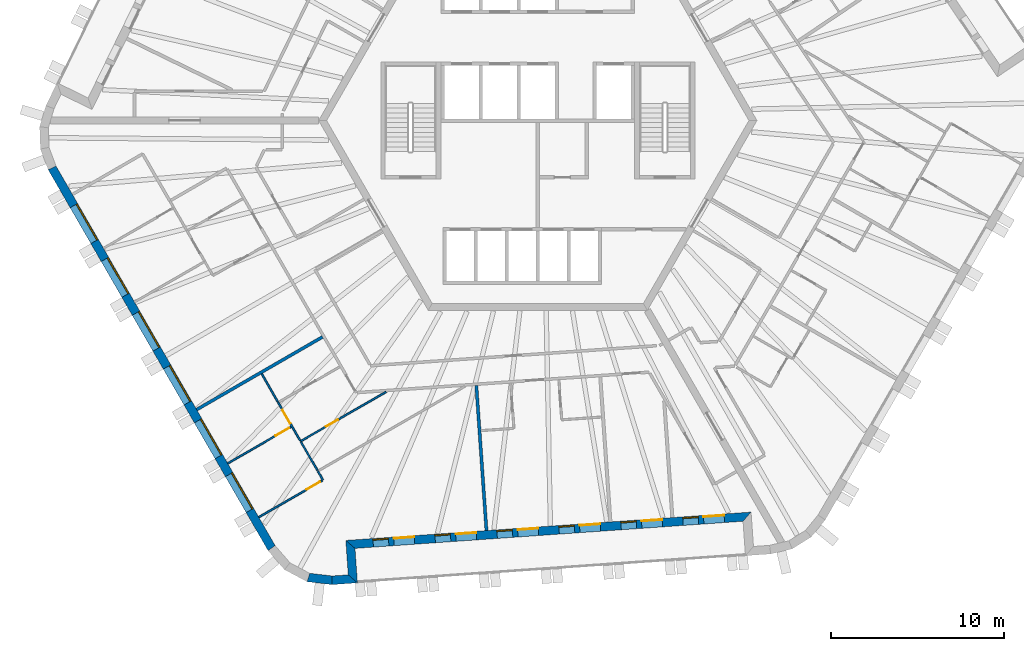
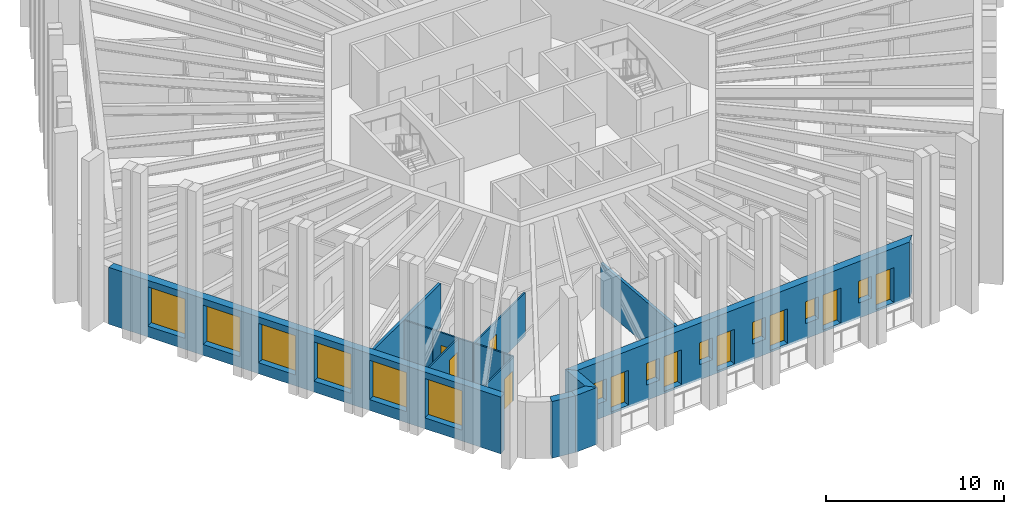
# One storey, part 3 of 13: 14 walls, 12 windows, 10 doors, 22 openings.
"""IFC4 building model written with IfcOpenShell, lengths in metres."""

from ifc_helpers import new_model, si_unit, direction, frame, frame_2d, origin, place, context, subcontext, project, spatial, polyline, rectangle, outline, extrude, material, layer, layer_set, type_object, element, fill, save


model = new_model("IFC4")

# Units and contexts
model_context = context("Model", 3, precision=1e-05, world=origin(), true_north=direction((0.0, 1.0)))
body_context = subcontext(model_context, "Body", "Model", "MODEL_VIEW")
ifc_project = project(units=[si_unit("LENGTHUNIT", "METRE"), si_unit("AREAUNIT", "SQUARE_METRE"), si_unit("VOLUMEUNIT", "CUBIC_METRE"), si_unit("PLANEANGLEUNIT", "RADIAN"), si_unit("MASSUNIT", "GRAM", prefix="KILO")], contexts=[model_context])

# Site, building, storey
site_placement = place(None, origin())
site = spatial("IfcSite", under=ifc_project, at=site_placement, CompositionType="ELEMENT")
building_placement = place(site_placement, origin())
building = spatial("IfcBuilding", under=site, at=building_placement, Name="Tarnside Tower", CompositionType="ELEMENT")
storey_placement = place(building_placement, frame((0.0, 0.0, 267.89990234375)))
storey = spatial("IfcBuildingStorey", under=building, at=storey_placement, Name="L64", CompositionType="ELEMENT", Elevation=267.89990234375)

# Wall, opening, door
ifc_material_1 = material(Name="Gypsum board partition on steel studs", Category="steel")
ifc_layer_1 = layer(ifc_material_1, 0.10009765625)
ifc_layer_set_1 = layer_set([ifc_layer_1], Name="Bathroom wall 100")
wall_type_1 = type_object("IfcWallType", Name="Bathroom wall 100", PredefinedType="PARTITIONING", material=ifc_layer_set_1)
wall_1_placement = place(storey_placement, frame((-13.747314453125, -18.5888671875, 0.0), z_axis=(0.0, 0.0, 1.0), x_axis=(0.866022251081, 0.500005460603, 0.0)))
wall_1 = element("IfcWall", 1, at=wall_1_placement, inside=storey, type_object=wall_type_1, Name="Bathroom wall 21133", PredefinedType="PARTITIONING", context=body_context, shape_type="SweptSolid", body=[
    extrude(rectangle(XDim=5.72509765625, YDim=0.10009765625, at=frame_2d((2.862548828125, 0.0))), origin(), (0.0, 0.0, 1.0), 2.98779296875),
])
opening_1_placement = place(wall_1_placement, frame((1.699951171875, 0.0, 0.0)))
opening_1 = element("IfcOpeningElement", 2, at=opening_1_placement, cuts=wall_1, Name="Opening D-B1", PredefinedType="OPENING", context=body_context, shape_type="SweptSolid", body=[
    extrude(rectangle(XDim=0.800048828125, YDim=2.10009765625, at=frame_2d((0.39990234375, 1.050048828125))), frame((0.0, 0.06005859375, 0.0), z_axis=(0.0, -1.0, 0.0), x_axis=(1.0, 0.0, 0.0)), (0.0, 0.0, 1.0), 0.1201171875),
])
ifc_material_2 = material(Name="Timber door leaf", Category="wood")
door_type_1 = type_object("IfcDoorType", Name="Bathroom door 800", OperationType="NOTDEFINED", PredefinedType="DOOR", material=ifc_material_2)
door_1_placement = place(opening_1_placement, origin())
door_1 = element("IfcDoor", 3, at=door_1_placement, inside=storey, type_object=door_type_1, Name="Bathroom door 21041", OperationType="SINGLE_SWING_RIGHT", OverallHeight=2.10009765625, OverallWidth=0.800048828125, PredefinedType="DOOR", context=body_context, shape_type="SweptSolid", body=[
    extrude(rectangle(XDim=0.800048828125, YDim=2.10009765625, at=frame_2d((0.39990234375, 1.050048828125))), frame((0.0, 0.02490234375, 0.0), z_axis=(0.0, -1.0, 0.0), x_axis=(1.0, 0.0, 0.0)), (0.0, 0.0, 1.0), 0.050048828125),
])
fill(opening_1, door_1)

# Walls
wall_2_placement = place(storey_placement, frame((-16.00244140625, -14.68310546875, 0.0), z_axis=(0.0, 0.0, 1.0), x_axis=(0.500059143742, -0.865991254436, 0.0)))
element("IfcWall", 4, at=wall_2_placement, inside=storey, type_object=wall_type_1, Name="Bathroom wall 21134", PredefinedType="PARTITIONING", context=body_context, shape_type="SweptSolid", body=[
    extrude(rectangle(XDim=1.862060546875, YDim=0.10009765625, at=frame_2d((0.93115234375, 0.0))), origin(), (0.0, 0.0, 1.0), 2.98779296875),
])
wall_3_placement = place(storey_placement, frame((-12.7724609375, -20.277587890625, 0.0), z_axis=(0.0, 0.0, 1.0), x_axis=(-0.499967155389, 0.866044365799, 0.0)))
element("IfcWall", 5, at=wall_3_placement, inside=storey, type_object=wall_type_1, Name="Bathroom wall 21136", PredefinedType="PARTITIONING", context=body_context, shape_type="SweptSolid", body=[
    extrude(rectangle(XDim=1.900146484375, YDim=0.10009765625, at=frame_2d((0.9501953125, 0.0))), origin(), (0.0, 0.0, 1.0), 2.98779296875),
])
ifc_layer_2 = layer(ifc_material_1, 0.179931640625)
ifc_layer_set_2 = layer_set([ifc_layer_2], Name="Demising wall 180 EI 60")
wall_type_2 = type_object("IfcWallType", Name="Demising wall 180 EI 60", PredefinedType="PARTITIONING", material=ifc_layer_set_2)
wall_4_placement = place(storey_placement, frame((-19.771240234375, -16.755126953125, 0.0), z_axis=(0.0, 0.0, 1.0), x_axis=(0.866026819143, 0.499997548519, 0.0)))
element("IfcWall", 6, at=wall_4_placement, inside=storey, type_object=wall_type_2, Name="Demising wall 21118", PredefinedType="PARTITIONING", context=body_context, shape_type="SweptSolid", body=[
    extrude(rectangle(XDim=8.4248046875, YDim=0.179931640625, at=frame_2d((4.21240234375, 0.0))), origin(), (0.0, 0.0, 1.0), 2.98779296875),
])
wall_5_placement = place(storey_placement, frame((-2.97412109375, -23.765380859375, 0.0), z_axis=(0.0, 0.0, 1.0), x_axis=(-0.069749826803, 0.997564515037, 0.0)))
element("IfcWall", 7, at=wall_5_placement, inside=storey, type_object=wall_type_2, Name="Demising wall 21128", PredefinedType="PARTITIONING", context=body_context, shape_type="SweptSolid", body=[
    extrude(rectangle(XDim=8.425048828125, YDim=0.179931640625, at=frame_2d((4.21240234375, 0.0))), origin(), (0.0, 0.0, 1.0), 2.98779296875),
])
ifc_material_3 = material(Name="Dark zinc cladding")
ifc_layer_3 = layer(ifc_material_3, 0.10205078125)
ifc_material_4 = material(Name="Concrete C60/75 precast", Category="concrete")
ifc_layer_4 = layer(ifc_material_4, 0.298095703125)
ifc_material_5 = material(Name="Mineral wool insulation")
ifc_layer_5 = layer(ifc_material_5, 0.10009765625)
ifc_layer_set_3 = layer_set([ifc_layer_3, ifc_layer_4, ifc_layer_5], Name="Loggia wall 500 zinc faced")
wall_type_3 = type_object("IfcWallType", Name="Loggia wall 500 zinc faced", PredefinedType="SOLIDWALL", material=ifc_layer_set_3)
wall_6_placement = place(storey_placement, frame((-11.91748046875, -26.646240234375, -0.14990234375), z_axis=(0.0, 0.0, 1.0), x_axis=(0.997562933087, 0.069772448216, 0.0)))
element("IfcWall", 8, at=wall_6_placement, inside=storey, type_object=wall_type_3, Name="Tube wall L64 F4 stub 16", PredefinedType="SOLIDWALL", context=body_context, shape_type="SweptSolid", body=[
    extrude(outline(polyline([(-0.0234375, -0.25), (1.4501953125, -0.25), (0.9501953125, 0.25), (0.0234375, 0.25), (-0.0234375, -0.25)])), origin(), (0.0, 0.0, 1.0), 3.89990234375),
])
wall_7_placement = place(storey_placement, frame((-10.72021484375, -26.5625, -0.14990234375), z_axis=(0.0, 0.0, 1.0), x_axis=(-0.069824268692, 0.99755930726, 0.0)))
element("IfcWall", 9, at=wall_7_placement, inside=storey, type_object=wall_type_3, Name="Tube wall L64 F4 return 17", PredefinedType="SOLIDWALL", context=body_context, shape_type="SweptSolid", body=[
    extrude(outline(polyline([(-0.25, -0.25), (1.75, -0.25), (2.25, 0.25), (0.25, 0.25), (-0.25, -0.25)])), origin(), (0.0, 0.0, 1.0), 3.89990234375),
])

# Wall, openings, doors, windows
wall_8_placement = place(storey_placement, frame((-10.85986328125, -24.5673828125, -0.14990234375), z_axis=(0.0, 0.0, 1.0), x_axis=(0.997564329317, 0.06975248292, 0.0)))
wall_8 = element("IfcWall", 10, at=wall_8_placement, inside=storey, type_object=wall_type_3, Name="Tube wall L64 F4 back 18", PredefinedType="SOLIDWALL", context=body_context, shape_type="SweptSolid", body=[
    extrude(outline(polyline([(0.25, -0.25), (22.794677734375, -0.25), (23.294677734375, 0.25), (-0.25, 0.25), (0.25, -0.25)])), origin(), (0.0, 0.0, 1.0), 3.89990234375),
])
opening_2_placement = place(wall_8_placement, frame((1.322509765625, 0.0, 1.050048828125)))
opening_2 = element("IfcOpeningElement", 11, at=opening_2_placement, cuts=wall_8, Name="Opening WL500", PredefinedType="OPENING", context=body_context, shape_type="SweptSolid", body=[
    extrude(rectangle(XDim=0.89990234375, YDim=1.5, at=frame_2d((0.449951171875, 0.75))), frame((0.0, 0.260009765625, 0.0), z_axis=(0.0, -1.0, 0.0), x_axis=(1.0, 0.0, 0.0)), (0.0, 0.0, 1.0), 0.52001953125),
])
opening_3_placement = place(wall_8_placement, frame((2.5224609375, 0.0, 0.14990234375)))
opening_3 = element("IfcOpeningElement", 12, at=opening_3_placement, cuts=wall_8, Name="Opening DB500", PredefinedType="OPENING", context=body_context, shape_type="SweptSolid", body=[
    extrude(rectangle(XDim=1.199951171875, YDim=2.39990234375, at=frame_2d((0.60009765625, 1.199951171875))), frame((0.0, 0.260009765625, 0.0), z_axis=(0.0, -1.0, 0.0), x_axis=(1.0, 0.0, 0.0)), (0.0, 0.0, 1.0), 0.52001953125),
])
opening_4_placement = place(wall_8_placement, frame((4.92236328125, 0.0, 1.050048828125)))
opening_4 = element("IfcOpeningElement", 13, at=opening_4_placement, cuts=wall_8, Name="Opening WL500", PredefinedType="OPENING", context=body_context, shape_type="SweptSolid", body=[
    extrude(rectangle(XDim=0.89990234375, YDim=1.5, at=frame_2d((0.449951171875, 0.75))), frame((0.0, 0.260009765625, 0.0), z_axis=(0.0, -1.0, 0.0), x_axis=(1.0, 0.0, 0.0)), (0.0, 0.0, 1.0), 0.52001953125),
])
opening_5_placement = place(wall_8_placement, frame((6.122314453125, 0.0, 0.14990234375)))
opening_5 = element("IfcOpeningElement", 14, at=opening_5_placement, cuts=wall_8, Name="Opening DB500", PredefinedType="OPENING", context=body_context, shape_type="SweptSolid", body=[
    extrude(rectangle(XDim=1.199951171875, YDim=2.39990234375, at=frame_2d((0.60009765625, 1.199951171875))), frame((0.0, 0.260009765625, 0.0), z_axis=(0.0, -1.0, 0.0), x_axis=(1.0, 0.0, 0.0)), (0.0, 0.0, 1.0), 0.52001953125),
])
opening_6_placement = place(wall_8_placement, frame((8.5224609375, 0.0, 1.050048828125)))
opening_6 = element("IfcOpeningElement", 15, at=opening_6_placement, cuts=wall_8, Name="Opening WL500", PredefinedType="OPENING", context=body_context, shape_type="SweptSolid", body=[
    extrude(rectangle(XDim=0.89990234375, YDim=1.5, at=frame_2d((0.449951171875, 0.75))), frame((0.0, 0.260009765625, 0.0), z_axis=(0.0, -1.0, 0.0), x_axis=(1.0, 0.0, 0.0)), (0.0, 0.0, 1.0), 0.52001953125),
])
opening_7_placement = place(wall_8_placement, frame((9.722412109375, 0.0, 0.14990234375)))
opening_7 = element("IfcOpeningElement", 16, at=opening_7_placement, cuts=wall_8, Name="Opening DB500", PredefinedType="OPENING", context=body_context, shape_type="SweptSolid", body=[
    extrude(rectangle(XDim=1.199951171875, YDim=2.39990234375, at=frame_2d((0.60009765625, 1.199951171875))), frame((0.0, 0.260009765625, 0.0), z_axis=(0.0, -1.0, 0.0), x_axis=(1.0, 0.0, 0.0)), (0.0, 0.0, 1.0), 0.52001953125),
])
opening_8_placement = place(wall_8_placement, frame((12.122314453125, 0.0, 1.050048828125)))
opening_8 = element("IfcOpeningElement", 17, at=opening_8_placement, cuts=wall_8, Name="Opening WL500", PredefinedType="OPENING", context=body_context, shape_type="SweptSolid", body=[
    extrude(rectangle(XDim=0.89990234375, YDim=1.5, at=frame_2d((0.449951171875, 0.75))), frame((0.0, 0.260009765625, 0.0), z_axis=(0.0, -1.0, 0.0), x_axis=(1.0, 0.0, 0.0)), (0.0, 0.0, 1.0), 0.52001953125),
])
opening_9_placement = place(wall_8_placement, frame((13.322509765625, 0.0, 0.14990234375)))
opening_9 = element("IfcOpeningElement", 18, at=opening_9_placement, cuts=wall_8, Name="Opening DB500", PredefinedType="OPENING", context=body_context, shape_type="SweptSolid", body=[
    extrude(rectangle(XDim=1.199951171875, YDim=2.39990234375, at=frame_2d((0.60009765625, 1.199951171875))), frame((0.0, 0.260009765625, 0.0), z_axis=(0.0, -1.0, 0.0), x_axis=(1.0, 0.0, 0.0)), (0.0, 0.0, 1.0), 0.52001953125),
])
opening_10_placement = place(wall_8_placement, frame((15.722412109375, 0.0, 1.050048828125)))
opening_10 = element("IfcOpeningElement", 19, at=opening_10_placement, cuts=wall_8, Name="Opening WL500", PredefinedType="OPENING", context=body_context, shape_type="SweptSolid", body=[
    extrude(rectangle(XDim=0.89990234375, YDim=1.5, at=frame_2d((0.449951171875, 0.75))), frame((0.0, 0.260009765625, 0.0), z_axis=(0.0, -1.0, 0.0), x_axis=(1.0, 0.0, 0.0)), (0.0, 0.0, 1.0), 0.52001953125),
])
opening_11_placement = place(wall_8_placement, frame((16.92236328125, 0.0, 0.14990234375)))
opening_11 = element("IfcOpeningElement", 20, at=opening_11_placement, cuts=wall_8, Name="Opening DB500", PredefinedType="OPENING", context=body_context, shape_type="SweptSolid", body=[
    extrude(rectangle(XDim=1.199951171875, YDim=2.39990234375, at=frame_2d((0.60009765625, 1.199951171875))), frame((0.0, 0.260009765625, 0.0), z_axis=(0.0, -1.0, 0.0), x_axis=(1.0, 0.0, 0.0)), (0.0, 0.0, 1.0), 0.52001953125),
])
opening_12_placement = place(wall_8_placement, frame((19.322509765625, 0.0, 1.050048828125)))
opening_12 = element("IfcOpeningElement", 21, at=opening_12_placement, cuts=wall_8, Name="Opening WL500", PredefinedType="OPENING", context=body_context, shape_type="SweptSolid", body=[
    extrude(rectangle(XDim=0.89990234375, YDim=1.5, at=frame_2d((0.449951171875, 0.75))), frame((0.0, 0.260009765625, 0.0), z_axis=(0.0, -1.0, 0.0), x_axis=(1.0, 0.0, 0.0)), (0.0, 0.0, 1.0), 0.52001953125),
])
opening_13_placement = place(wall_8_placement, frame((20.5224609375, 0.0, 0.14990234375)))
opening_13 = element("IfcOpeningElement", 22, at=opening_13_placement, cuts=wall_8, Name="Opening DB500", PredefinedType="OPENING", context=body_context, shape_type="SweptSolid", body=[
    extrude(rectangle(XDim=1.199951171875, YDim=2.39990234375, at=frame_2d((0.60009765625, 1.199951171875))), frame((0.0, 0.260009765625, 0.0), z_axis=(0.0, -1.0, 0.0), x_axis=(1.0, 0.0, 0.0)), (0.0, 0.0, 1.0), 0.52001953125),
])
ifc_material_6 = material(Name="Aluminium-framed double glazing", Category="aluminium")
door_type_2 = type_object("IfcDoorType", Name="Balcony sliding door 1200 x 2400 in 500 wall", OperationType="SLIDING_TO_LEFT", PredefinedType="DOOR", material=ifc_material_6)
door_2_placement = place(opening_3_placement, frame((0.0, 0.1748046875, 0.0)))
door_2 = element("IfcDoor", 23, at=door_2_placement, inside=storey, type_object=door_type_2, Name="E.BD.L64.F4.00", OperationType="SLIDING_TO_LEFT", OverallHeight=2.39990234375, OverallWidth=1.199951171875, PredefinedType="DOOR", context=body_context, shape_type="SweptSolid", body=[
    extrude(rectangle(XDim=1.199951171875, YDim=2.39990234375, at=frame_2d((0.60009765625, 1.199951171875))), frame((0.0, 0.02490234375, 0.0), z_axis=(0.0, -1.0, 0.0), x_axis=(1.0, 0.0, 0.0)), (0.0, 0.0, 1.0), 0.050048828125),
])
fill(opening_3, door_2)
door_3_placement = place(opening_5_placement, frame((0.0, 0.1748046875, 0.0)))
door_3 = element("IfcDoor", 24, at=door_3_placement, inside=storey, type_object=door_type_2, Name="E.BD.L64.F4.01", OperationType="SLIDING_TO_LEFT", OverallHeight=2.39990234375, OverallWidth=1.199951171875, PredefinedType="DOOR", context=body_context, shape_type="SweptSolid", body=[
    extrude(rectangle(XDim=1.199951171875, YDim=2.39990234375, at=frame_2d((0.60009765625, 1.199951171875))), frame((0.0, 0.02490234375, 0.0), z_axis=(0.0, -1.0, 0.0), x_axis=(1.0, 0.0, 0.0)), (0.0, 0.0, 1.0), 0.050048828125),
])
fill(opening_5, door_3)
door_4_placement = place(opening_7_placement, frame((0.0, 0.1748046875, 0.0)))
door_4 = element("IfcDoor", 25, at=door_4_placement, inside=storey, type_object=door_type_2, Name="E.BD.L64.F4.02", OperationType="SLIDING_TO_LEFT", OverallHeight=2.39990234375, OverallWidth=1.199951171875, PredefinedType="DOOR", context=body_context, shape_type="SweptSolid", body=[
    extrude(rectangle(XDim=1.199951171875, YDim=2.39990234375, at=frame_2d((0.60009765625, 1.199951171875))), frame((0.0, 0.02490234375, 0.0), z_axis=(0.0, -1.0, 0.0), x_axis=(1.0, 0.0, 0.0)), (0.0, 0.0, 1.0), 0.050048828125),
])
fill(opening_7, door_4)
door_5_placement = place(opening_9_placement, frame((0.0, 0.1748046875, 0.0)))
door_5 = element("IfcDoor", 26, at=door_5_placement, inside=storey, type_object=door_type_2, Name="E.BD.L64.F4.03", OperationType="SLIDING_TO_LEFT", OverallHeight=2.39990234375, OverallWidth=1.199951171875, PredefinedType="DOOR", context=body_context, shape_type="SweptSolid", body=[
    extrude(rectangle(XDim=1.199951171875, YDim=2.39990234375, at=frame_2d((0.60009765625, 1.199951171875))), frame((0.0, 0.02490234375, 0.0), z_axis=(0.0, -1.0, 0.0), x_axis=(1.0, 0.0, 0.0)), (0.0, 0.0, 1.0), 0.050048828125),
])
fill(opening_9, door_5)
door_6_placement = place(opening_11_placement, frame((0.0, 0.1748046875, 0.0)))
door_6 = element("IfcDoor", 27, at=door_6_placement, inside=storey, type_object=door_type_2, Name="E.BD.L64.F4.04", OperationType="SLIDING_TO_LEFT", OverallHeight=2.39990234375, OverallWidth=1.199951171875, PredefinedType="DOOR", context=body_context, shape_type="SweptSolid", body=[
    extrude(rectangle(XDim=1.199951171875, YDim=2.39990234375, at=frame_2d((0.60009765625, 1.199951171875))), frame((0.0, 0.02490234375, 0.0), z_axis=(0.0, -1.0, 0.0), x_axis=(1.0, 0.0, 0.0)), (0.0, 0.0, 1.0), 0.050048828125),
])
fill(opening_11, door_6)
door_7_placement = place(opening_13_placement, frame((0.0, 0.1748046875, 0.0)))
door_7 = element("IfcDoor", 28, at=door_7_placement, inside=storey, type_object=door_type_2, Name="E.BD.L64.F4.05", OperationType="SLIDING_TO_LEFT", OverallHeight=2.39990234375, OverallWidth=1.199951171875, PredefinedType="DOOR", context=body_context, shape_type="SweptSolid", body=[
    extrude(rectangle(XDim=1.199951171875, YDim=2.39990234375, at=frame_2d((0.60009765625, 1.199951171875))), frame((0.0, 0.02490234375, 0.0), z_axis=(0.0, -1.0, 0.0), x_axis=(1.0, 0.0, 0.0)), (0.0, 0.0, 1.0), 0.050048828125),
])
fill(opening_13, door_7)
window_type_1 = type_object("IfcWindowType", Name="Loggia window 900 x 1500 in 500 wall", PartitioningType="SINGLE_PANEL", PredefinedType="WINDOW", material=ifc_material_6)
window_1_placement = place(opening_2_placement, frame((0.0, 0.179931640625, 0.0)))
window_1 = element("IfcWindow", 29, at=window_1_placement, inside=storey, type_object=window_type_1, Name="E.LW.L64.F4.00", OverallHeight=1.5, OverallWidth=0.89990234375, PartitioningType="SINGLE_PANEL", PredefinedType="WINDOW", context=body_context, shape_type="SweptSolid", body=[
    extrude(rectangle(XDim=0.89990234375, YDim=1.5, at=frame_2d((0.449951171875, 0.75))), frame((0.0, 0.030029296875, 0.0), z_axis=(0.0, -1.0, 0.0), x_axis=(1.0, 0.0, 0.0)), (0.0, 0.0, 1.0), 0.06005859375),
])
fill(opening_2, window_1)
window_2_placement = place(opening_4_placement, frame((0.0, 0.179931640625, 0.0)))
window_2 = element("IfcWindow", 30, at=window_2_placement, inside=storey, type_object=window_type_1, Name="E.LW.L64.F4.01", OverallHeight=1.5, OverallWidth=0.89990234375, PartitioningType="SINGLE_PANEL", PredefinedType="WINDOW", context=body_context, shape_type="SweptSolid", body=[
    extrude(rectangle(XDim=0.89990234375, YDim=1.5, at=frame_2d((0.449951171875, 0.75))), frame((0.0, 0.030029296875, 0.0), z_axis=(0.0, -1.0, 0.0), x_axis=(1.0, 0.0, 0.0)), (0.0, 0.0, 1.0), 0.06005859375),
])
fill(opening_4, window_2)
window_3_placement = place(opening_6_placement, frame((0.0, 0.179931640625, 0.0)))
window_3 = element("IfcWindow", 31, at=window_3_placement, inside=storey, type_object=window_type_1, Name="E.LW.L64.F4.02", OverallHeight=1.5, OverallWidth=0.89990234375, PartitioningType="SINGLE_PANEL", PredefinedType="WINDOW", context=body_context, shape_type="SweptSolid", body=[
    extrude(rectangle(XDim=0.89990234375, YDim=1.5, at=frame_2d((0.449951171875, 0.75))), frame((0.0, 0.030029296875, 0.0), z_axis=(0.0, -1.0, 0.0), x_axis=(1.0, 0.0, 0.0)), (0.0, 0.0, 1.0), 0.06005859375),
])
fill(opening_6, window_3)
window_4_placement = place(opening_8_placement, frame((0.0, 0.179931640625, 0.0)))
window_4 = element("IfcWindow", 32, at=window_4_placement, inside=storey, type_object=window_type_1, Name="E.LW.L64.F4.03", OverallHeight=1.5, OverallWidth=0.89990234375, PartitioningType="SINGLE_PANEL", PredefinedType="WINDOW", context=body_context, shape_type="SweptSolid", body=[
    extrude(rectangle(XDim=0.89990234375, YDim=1.5, at=frame_2d((0.449951171875, 0.75))), frame((0.0, 0.030029296875, 0.0), z_axis=(0.0, -1.0, 0.0), x_axis=(1.0, 0.0, 0.0)), (0.0, 0.0, 1.0), 0.06005859375),
])
fill(opening_8, window_4)
window_5_placement = place(opening_10_placement, frame((0.0, 0.179931640625, 0.0)))
window_5 = element("IfcWindow", 33, at=window_5_placement, inside=storey, type_object=window_type_1, Name="E.LW.L64.F4.04", OverallHeight=1.5, OverallWidth=0.89990234375, PartitioningType="SINGLE_PANEL", PredefinedType="WINDOW", context=body_context, shape_type="SweptSolid", body=[
    extrude(rectangle(XDim=0.89990234375, YDim=1.5, at=frame_2d((0.449951171875, 0.75))), frame((0.0, 0.030029296875, 0.0), z_axis=(0.0, -1.0, 0.0), x_axis=(1.0, 0.0, 0.0)), (0.0, 0.0, 1.0), 0.06005859375),
])
fill(opening_10, window_5)
window_6_placement = place(opening_12_placement, frame((0.0, 0.179931640625, 0.0)))
window_6 = element("IfcWindow", 34, at=window_6_placement, inside=storey, type_object=window_type_1, Name="E.LW.L64.F4.05", OverallHeight=1.5, OverallWidth=0.89990234375, PartitioningType="SINGLE_PANEL", PredefinedType="WINDOW", context=body_context, shape_type="SweptSolid", body=[
    extrude(rectangle(XDim=0.89990234375, YDim=1.5, at=frame_2d((0.449951171875, 0.75))), frame((0.0, 0.030029296875, 0.0), z_axis=(0.0, -1.0, 0.0), x_axis=(1.0, 0.0, 0.0)), (0.0, 0.0, 1.0), 0.06005859375),
])
fill(opening_12, window_6)

# Wall
ifc_layer_6 = layer(ifc_material_1, 0.10009765625)
ifc_layer_set_4 = layer_set([ifc_layer_6], Name="Partition 100")
wall_type_4 = type_object("IfcWallType", Name="Partition 100", PredefinedType="PARTITIONING", material=ifc_layer_set_4)
wall_9_placement = place(storey_placement, frame((-12.748291015625, -20.3193359375, 0.0), z_axis=(0.0, 0.0, 1.0), x_axis=(0.500108649621, -0.865962665808, 0.0)))
element("IfcWall", 35, at=wall_9_placement, inside=storey, type_object=wall_type_4, Name="Partition wall 21125", PredefinedType="PARTITIONING", context=body_context, shape_type="SweptSolid", body=[
    extrude(rectangle(XDim=0.601806640625, YDim=0.10009765625, at=frame_2d((0.30078125, 0.0))), origin(), (0.0, 0.0, 1.0), 2.98779296875),
])

# Wall, opening, door
wall_10_placement = place(storey_placement, frame((-12.49072265625, -20.865478515625, 0.0), z_axis=(0.0, 0.0, 1.0), x_axis=(-0.866014341725, -0.50001915956, 0.0)))
wall_10 = element("IfcWall", 36, at=wall_10_placement, inside=storey, type_object=wall_type_4, Name="Partition wall 21126", PredefinedType="PARTITIONING", context=body_context, shape_type="SweptSolid", body=[
    extrude(rectangle(XDim=4.249755859375, YDim=0.10009765625, at=frame_2d((2.125, 0.0))), origin(), (0.0, 0.0, 1.0), 2.98779296875),
])
opening_14_placement = place(wall_10_placement, frame((0.14990234375, 0.0, 0.0)))
opening_14 = element("IfcOpeningElement", 37, at=opening_14_placement, cuts=wall_10, Name="Opening D-I1", PredefinedType="OPENING", context=body_context, shape_type="SweptSolid", body=[
    extrude(rectangle(XDim=0.89990234375, YDim=2.10009765625, at=frame_2d((0.449951171875, 1.050048828125))), frame((0.0, 0.06005859375, 0.0), z_axis=(0.0, -1.0, 0.0), x_axis=(1.0, 0.0, 0.0)), (0.0, 0.0, 1.0), 0.1201171875),
])
door_type_3 = type_object("IfcDoorType", Name="Internal door 900", OperationType="NOTDEFINED", PredefinedType="DOOR", material=ifc_material_2)
door_8_placement = place(opening_14_placement, origin())
door_8 = element("IfcDoor", 38, at=door_8_placement, inside=storey, type_object=door_type_3, Name="Internal door 21040", OperationType="SINGLE_SWING_RIGHT", OverallHeight=2.10009765625, OverallWidth=0.89990234375, PredefinedType="DOOR", context=body_context, shape_type="SweptSolid", body=[
    extrude(rectangle(XDim=0.89990234375, YDim=2.10009765625, at=frame_2d((0.449951171875, 1.050048828125))), frame((0.0, 0.02490234375, 0.0), z_axis=(0.0, -1.0, 0.0), x_axis=(1.0, 0.0, 0.0)), (0.0, 0.0, 1.0), 0.050048828125),
])
fill(opening_14, door_8)

wall_11_placement = place(storey_placement, frame((-15.04833984375, -16.33544921875, 0.0), z_axis=(0.0, 0.0, 1.0), x_axis=(0.500014808323, -0.866016854026, 0.0)))
wall_11 = element("IfcWall", 39, at=wall_11_placement, inside=storey, type_object=wall_type_4, Name="Partition wall 21131", PredefinedType="PARTITIONING", context=body_context, shape_type="SweptSolid", body=[
    extrude(rectangle(XDim=2.55419921875, YDim=0.10009765625, at=frame_2d((1.277099609375, 0.0))), origin(), (0.0, 0.0, 1.0), 2.98779296875),
])
opening_15_placement = place(wall_11_placement, frame((0.501953125, 0.0, 0.0)))
opening_15 = element("IfcOpeningElement", 40, at=opening_15_placement, cuts=wall_11, Name="Opening D-I1", PredefinedType="OPENING", context=body_context, shape_type="SweptSolid", body=[
    extrude(rectangle(XDim=0.89990234375, YDim=2.10009765625, at=frame_2d((0.449951171875, 1.050048828125))), frame((0.0, 0.06005859375, 0.0), z_axis=(0.0, -1.0, 0.0), x_axis=(1.0, 0.0, 0.0)), (0.0, 0.0, 1.0), 0.1201171875),
])
door_9_placement = place(opening_15_placement, origin())
door_9 = element("IfcDoor", 41, at=door_9_placement, inside=storey, type_object=door_type_3, Name="Internal door 21036", OperationType="SINGLE_SWING_LEFT", OverallHeight=2.10009765625, OverallWidth=0.89990234375, PredefinedType="DOOR", context=body_context, shape_type="SweptSolid", body=[
    extrude(rectangle(XDim=0.89990234375, YDim=2.10009765625, at=frame_2d((0.449951171875, 1.050048828125))), frame((0.0, 0.02490234375, 0.0), z_axis=(0.0, -1.0, 0.0), x_axis=(1.0, 0.0, 0.0)), (0.0, 0.0, 1.0), 0.050048828125),
])
fill(opening_15, door_9)

wall_12_placement = place(storey_placement, frame((-17.97119140625, -19.872802734375, 0.0), z_axis=(0.0, 0.0, 1.0), x_axis=(0.866028703517, 0.499994284652, 0.0)))
wall_12 = element("IfcWall", 42, at=wall_12_placement, inside=storey, type_object=wall_type_4, Name="Partition wall 21135", PredefinedType="PARTITIONING", context=body_context, shape_type="SweptSolid", body=[
    extrude(rectangle(XDim=4.25, YDim=0.10009765625, at=frame_2d((2.125, 0.0))), origin(), (0.0, 0.0, 1.0), 2.98779296875),
])
opening_16_placement = place(wall_12_placement, frame((3.199951171875, 0.0, 0.0)))
opening_16 = element("IfcOpeningElement", 43, at=opening_16_placement, cuts=wall_12, Name="Opening D-I1", PredefinedType="OPENING", context=body_context, shape_type="SweptSolid", body=[
    extrude(rectangle(XDim=0.89990234375, YDim=2.10009765625, at=frame_2d((0.449951171875, 1.050048828125))), frame((0.0, 0.06005859375, 0.0), z_axis=(0.0, -1.0, 0.0), x_axis=(1.0, 0.0, 0.0)), (0.0, 0.0, 1.0), 0.1201171875),
])
door_10_placement = place(opening_16_placement, origin())
door_10 = element("IfcDoor", 44, at=door_10_placement, inside=storey, type_object=door_type_3, Name="Internal door 21039", OperationType="SINGLE_SWING_RIGHT", OverallHeight=2.10009765625, OverallWidth=0.89990234375, PredefinedType="DOOR", context=body_context, shape_type="SweptSolid", body=[
    extrude(rectangle(XDim=0.89990234375, YDim=2.10009765625, at=frame_2d((0.449951171875, 1.050048828125))), frame((0.0, 0.02490234375, 0.0), z_axis=(0.0, -1.0, 0.0), x_axis=(1.0, 0.0, 0.0)), (0.0, 0.0, 1.0), 0.050048828125),
])
fill(opening_16, door_10)

# Wall, openings, windows
ifc_material_7 = material(Name="Facing brick", Category="masonry")
ifc_layer_7 = layer(ifc_material_7, 0.10205078125)
ifc_layer_8 = layer(ifc_material_4, 0.298095703125)
ifc_layer_9 = layer(ifc_material_5, 0.10009765625)
ifc_layer_set_5 = layer_set([ifc_layer_7, ifc_layer_8, ifc_layer_9], Name="Tube wall 500 brick faced")
wall_type_5 = type_object("IfcWallType", Name="Tube wall 500 brick faced", PredefinedType="SOLIDWALL", material=ifc_layer_set_5)
wall_13_placement = place(storey_placement, frame((-28.14892578125, -2.74462890625, -0.14990234375), z_axis=(0.0, 0.0, 1.0), x_axis=(0.500003737743, -0.866023245787, 0.0)))
wall_13 = element("IfcWall", 45, at=wall_13_placement, inside=storey, type_object=wall_type_5, Name="Tube wall L64 F3 flush 12", PredefinedType="SOLIDWALL", context=body_context, shape_type="SweptSolid", body=[
    extrude(outline(polyline([(-0.0205078125, -0.25), (25.468017578125, -0.25), (25.421142578125, 0.25), (0.0205078125, 0.25), (-0.0205078125, -0.25)])), origin(), (0.0, 0.0, 1.0), 3.89990234375),
])
opening_17_placement = place(wall_13_placement, frame((2.5224609375, 0.0, 0.75)))
opening_17 = element("IfcOpeningElement", 46, at=opening_17_placement, cuts=wall_13, Name="Opening WR", PredefinedType="OPENING", context=body_context, shape_type="SweptSolid", body=[
    extrude(rectangle(XDim=2.39990234375, YDim=2.699951171875, at=frame_2d((1.199951171875, 1.35009765625))), frame((0.0, 0.260009765625, 0.0), z_axis=(0.0, -1.0, 0.0), x_axis=(1.0, 0.0, 0.0)), (0.0, 0.0, 1.0), 0.52001953125),
])
opening_18_placement = place(wall_13_placement, frame((6.122314453125, 0.0, 0.75)))
opening_18 = element("IfcOpeningElement", 47, at=opening_18_placement, cuts=wall_13, Name="Opening WR", PredefinedType="OPENING", context=body_context, shape_type="SweptSolid", body=[
    extrude(rectangle(XDim=2.39990234375, YDim=2.699951171875, at=frame_2d((1.199951171875, 1.35009765625))), frame((0.0, 0.260009765625, 0.0), z_axis=(0.0, -1.0, 0.0), x_axis=(1.0, 0.0, 0.0)), (0.0, 0.0, 1.0), 0.52001953125),
])
opening_19_placement = place(wall_13_placement, frame((9.722412109375, 0.0, 0.75)))
opening_19 = element("IfcOpeningElement", 48, at=opening_19_placement, cuts=wall_13, Name="Opening WR", PredefinedType="OPENING", context=body_context, shape_type="SweptSolid", body=[
    extrude(rectangle(XDim=2.39990234375, YDim=2.699951171875, at=frame_2d((1.199951171875, 1.35009765625))), frame((0.0, 0.260009765625, 0.0), z_axis=(0.0, -1.0, 0.0), x_axis=(1.0, 0.0, 0.0)), (0.0, 0.0, 1.0), 0.52001953125),
])
opening_20_placement = place(wall_13_placement, frame((13.322509765625, 0.0, 0.75)))
opening_20 = element("IfcOpeningElement", 49, at=opening_20_placement, cuts=wall_13, Name="Opening WR", PredefinedType="OPENING", context=body_context, shape_type="SweptSolid", body=[
    extrude(rectangle(XDim=2.39990234375, YDim=2.699951171875, at=frame_2d((1.199951171875, 1.35009765625))), frame((0.0, 0.260009765625, 0.0), z_axis=(0.0, -1.0, 0.0), x_axis=(1.0, 0.0, 0.0)), (0.0, 0.0, 1.0), 0.52001953125),
])
opening_21_placement = place(wall_13_placement, frame((16.92236328125, 0.0, 0.75)))
opening_21 = element("IfcOpeningElement", 50, at=opening_21_placement, cuts=wall_13, Name="Opening WR", PredefinedType="OPENING", context=body_context, shape_type="SweptSolid", body=[
    extrude(rectangle(XDim=2.39990234375, YDim=2.699951171875, at=frame_2d((1.199951171875, 1.35009765625))), frame((0.0, 0.260009765625, 0.0), z_axis=(0.0, -1.0, 0.0), x_axis=(1.0, 0.0, 0.0)), (0.0, 0.0, 1.0), 0.52001953125),
])
opening_22_placement = place(wall_13_placement, frame((20.5224609375, 0.0, 0.75)))
opening_22 = element("IfcOpeningElement", 51, at=opening_22_placement, cuts=wall_13, Name="Opening WR", PredefinedType="OPENING", context=body_context, shape_type="SweptSolid", body=[
    extrude(rectangle(XDim=2.39990234375, YDim=2.699951171875, at=frame_2d((1.199951171875, 1.35009765625))), frame((0.0, 0.260009765625, 0.0), z_axis=(0.0, -1.0, 0.0), x_axis=(1.0, 0.0, 0.0)), (0.0, 0.0, 1.0), 0.52001953125),
])
window_type_2 = type_object("IfcWindowType", Name="Residence window 2400 x 2700", PartitioningType="DOUBLE_PANEL_VERTICAL", PredefinedType="WINDOW", material=ifc_material_6)
window_7_placement = place(opening_17_placement, frame((0.0, 0.179931640625, 0.0)))
window_7 = element("IfcWindow", 52, at=window_7_placement, inside=storey, type_object=window_type_2, Name="E.WN.L64.F3.00", OverallHeight=2.699951171875, OverallWidth=2.39990234375, PartitioningType="DOUBLE_PANEL_VERTICAL", PredefinedType="WINDOW", context=body_context, shape_type="SweptSolid", body=[
    extrude(rectangle(XDim=2.39990234375, YDim=2.699951171875, at=frame_2d((1.199951171875, 1.35009765625))), frame((0.0, 0.030029296875, 0.0), z_axis=(0.0, -1.0, 0.0), x_axis=(1.0, 0.0, 0.0)), (0.0, 0.0, 1.0), 0.06005859375),
])
fill(opening_17, window_7)
window_8_placement = place(opening_18_placement, frame((0.0, 0.179931640625, 0.0)))
window_8 = element("IfcWindow", 53, at=window_8_placement, inside=storey, type_object=window_type_2, Name="E.WN.L64.F3.01", OverallHeight=2.699951171875, OverallWidth=2.39990234375, PartitioningType="DOUBLE_PANEL_VERTICAL", PredefinedType="WINDOW", context=body_context, shape_type="SweptSolid", body=[
    extrude(rectangle(XDim=2.39990234375, YDim=2.699951171875, at=frame_2d((1.199951171875, 1.35009765625))), frame((0.0, 0.030029296875, 0.0), z_axis=(0.0, -1.0, 0.0), x_axis=(1.0, 0.0, 0.0)), (0.0, 0.0, 1.0), 0.06005859375),
])
fill(opening_18, window_8)
window_9_placement = place(opening_19_placement, frame((0.0, 0.179931640625, 0.0)))
window_9 = element("IfcWindow", 54, at=window_9_placement, inside=storey, type_object=window_type_2, Name="E.WN.L64.F3.02", OverallHeight=2.699951171875, OverallWidth=2.39990234375, PartitioningType="DOUBLE_PANEL_VERTICAL", PredefinedType="WINDOW", context=body_context, shape_type="SweptSolid", body=[
    extrude(rectangle(XDim=2.39990234375, YDim=2.699951171875, at=frame_2d((1.199951171875, 1.35009765625))), frame((0.0, 0.030029296875, 0.0), z_axis=(0.0, -1.0, 0.0), x_axis=(1.0, 0.0, 0.0)), (0.0, 0.0, 1.0), 0.06005859375),
])
fill(opening_19, window_9)
window_10_placement = place(opening_20_placement, frame((0.0, 0.179931640625, 0.0)))
window_10 = element("IfcWindow", 55, at=window_10_placement, inside=storey, type_object=window_type_2, Name="E.WN.L64.F3.03", OverallHeight=2.699951171875, OverallWidth=2.39990234375, PartitioningType="DOUBLE_PANEL_VERTICAL", PredefinedType="WINDOW", context=body_context, shape_type="SweptSolid", body=[
    extrude(rectangle(XDim=2.39990234375, YDim=2.699951171875, at=frame_2d((1.199951171875, 1.35009765625))), frame((0.0, 0.030029296875, 0.0), z_axis=(0.0, -1.0, 0.0), x_axis=(1.0, 0.0, 0.0)), (0.0, 0.0, 1.0), 0.06005859375),
])
fill(opening_20, window_10)
window_11_placement = place(opening_21_placement, frame((0.0, 0.179931640625, 0.0)))
window_11 = element("IfcWindow", 56, at=window_11_placement, inside=storey, type_object=window_type_2, Name="E.WN.L64.F3.04", OverallHeight=2.699951171875, OverallWidth=2.39990234375, PartitioningType="DOUBLE_PANEL_VERTICAL", PredefinedType="WINDOW", context=body_context, shape_type="SweptSolid", body=[
    extrude(rectangle(XDim=2.39990234375, YDim=2.699951171875, at=frame_2d((1.199951171875, 1.35009765625))), frame((0.0, 0.030029296875, 0.0), z_axis=(0.0, -1.0, 0.0), x_axis=(1.0, 0.0, 0.0)), (0.0, 0.0, 1.0), 0.06005859375),
])
fill(opening_21, window_11)
window_12_placement = place(opening_22_placement, frame((0.0, 0.179931640625, 0.0)))
window_12 = element("IfcWindow", 57, at=window_12_placement, inside=storey, type_object=window_type_2, Name="E.WN.L64.F3.05", OverallHeight=2.699951171875, OverallWidth=2.39990234375, PartitioningType="DOUBLE_PANEL_VERTICAL", PredefinedType="WINDOW", context=body_context, shape_type="SweptSolid", body=[
    extrude(rectangle(XDim=2.39990234375, YDim=2.699951171875, at=frame_2d((1.199951171875, 1.35009765625))), frame((0.0, 0.030029296875, 0.0), z_axis=(0.0, -1.0, 0.0), x_axis=(1.0, 0.0, 0.0)), (0.0, 0.0, 1.0), 0.06005859375),
])
fill(opening_22, window_12)

# Wall
wall_14_placement = place(storey_placement, frame((-13.296142578125, -26.485107421875, -0.14990234375), z_axis=(0.0, 0.0, 1.0), x_axis=(0.993239161627, -0.116086036245, 0.0)))
element("IfcWall", 58, at=wall_14_placement, inside=storey, type_object=wall_type_5, Name="Tube wall L64 F3 chord 15", PredefinedType="SOLIDWALL", context=body_context, shape_type="SweptSolid", body=[
    extrude(outline(polyline([(-0.047119140625, -0.25), (1.411376953125, -0.25), (1.364501953125, 0.25), (0.047119140625, 0.25), (-0.047119140625, -0.25)])), origin(), (0.0, 0.0, 1.0), 3.89990234375),
])

save(model, "model.ifc")
